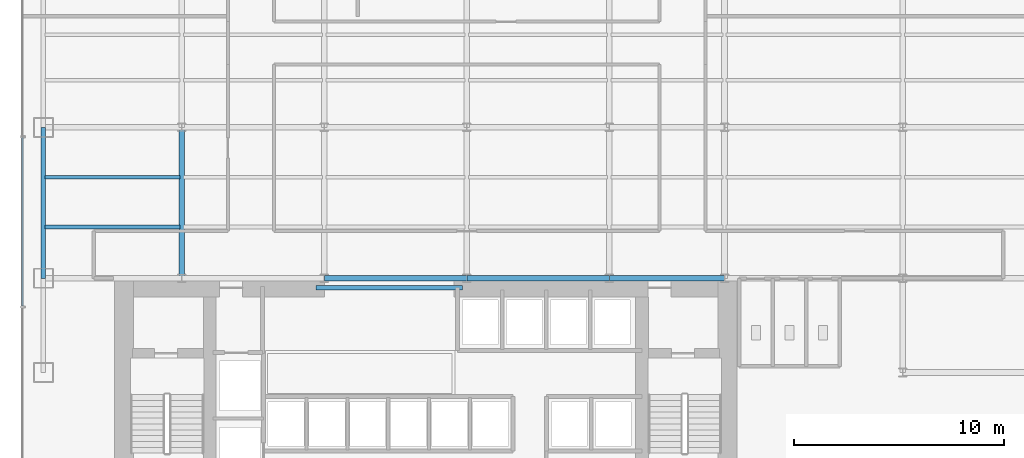
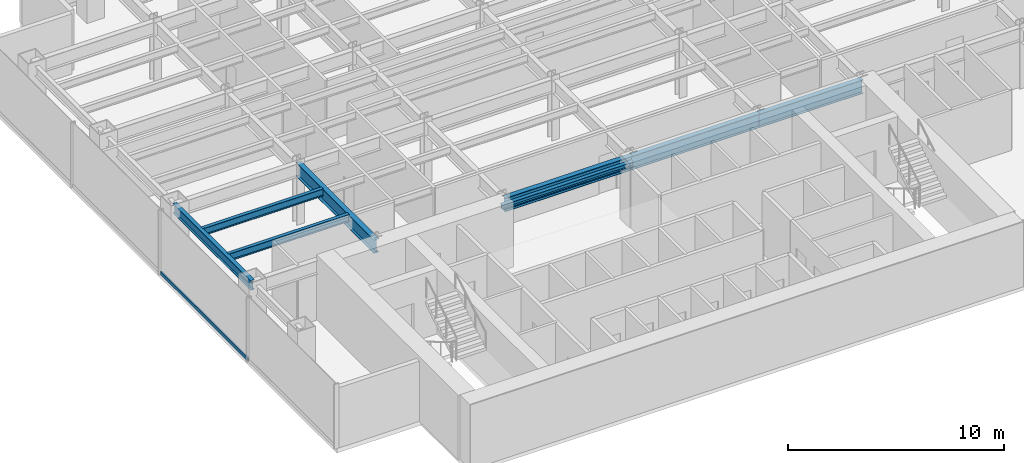
# One storey, part 3 of 22: 8 beams, 1 member, 1 element without a shape of its own.
"""IFC4 building model written with IfcOpenShell, lengths in metres."""

from ifc_helpers import new_model, si_unit, derived_unit, direction, frame, origin, origin_2d, place, context, subcontext, project, spatial, hollow_rectangle, i_section, extrude, source, transform, mapped, material, material_profile, profile_set, type_object, element, aggregate, save


model = new_model("IFC4")

# Units and contexts
model_context = context("Model", 3, precision=1e-05, world=origin(), true_north=direction((0.0, 1.0)))
body_context = subcontext(model_context, "Body", "Model", "MODEL_VIEW")
ifc_project = project(units=[si_unit("LENGTHUNIT", "METRE"), si_unit("AREAUNIT", "SQUARE_METRE"), si_unit("VOLUMEUNIT", "CUBIC_METRE"), si_unit("PLANEANGLEUNIT", "RADIAN"), si_unit("MASSUNIT", "GRAM", prefix="KILO"), derived_unit("THERMALTRANSMITTANCEUNIT", [(si_unit("POWERUNIT", "WATT"), 1), (si_unit("LENGTHUNIT", "METRE"), -2), (si_unit("THERMODYNAMICTEMPERATUREUNIT", "KELVIN"), -1)])], contexts=[model_context])

# Site, building, storey
site_placement = place(None, origin())
site = spatial("IfcSite", under=ifc_project, at=site_placement, CompositionType="ELEMENT")
building_placement = place(site_placement, origin())
building = spatial("IfcBuilding", under=site, at=building_placement, Name="Skarnbrae Concourse Arena and Tower", CompositionType="ELEMENT")
storey_placement = place(building_placement, frame((0.0, 0.0, 61.699951171875)))
storey = spatial("IfcBuildingStorey", under=building, at=storey_placement, Name="L14", CompositionType="ELEMENT", Elevation=61.699951171875)

# Beams
ifc_material_1 = material(Name="Steel CSA G40.21 350W", Category="steel")
ifc_material_profile_1 = material_profile(ifc_material_1, i_section(OverallWidth=0.202880859375, OverallDepth=0.251953125, WebThickness=0.008056640625, FlangeThickness=0.013427734375, at=origin_2d()), Name="W250X58")
ifc_profile_set_1 = profile_set([ifc_material_profile_1], Name="Steel CSA G40.21 350W")
beam_type_1 = type_object("IfcBeamType", Name="BM-LINTEL-W250X58", PredefinedType="LINTEL", material=ifc_profile_set_1)
shared_shape_1 = source(origin(), body_context, "Body", "SweptSolid", [
    extrude(i_section(OverallWidth=0.202880859375, OverallDepth=0.251953125, WebThickness=0.008056640625, FlangeThickness=0.013427734375, at=origin_2d()), origin(), (0.0, 0.0, 1.0), 7.0),
])
beam_1_placement = place(storey_placement, frame((14.0, 13.550048828125, 3.274169921875), z_axis=(1.0, 0.0, 0.0), x_axis=(0.0, 1.0, 0.0)))
element("IfcBeam", 1, at=beam_1_placement, inside=storey, type_object=beam_type_1, Name="L14 Core portal coupling lintel", PredefinedType="LINTEL", context=body_context, shape_type="MappedRepresentation", body=[
    mapped(shared_shape_1, transform((0.0, 0.0, 0.0))),
])
ifc_material_profile_2 = material_profile(ifc_material_1, i_section(OverallWidth=0.26806640625, OverallDepth=0.77001953125, WebThickness=0.015625, FlangeThickness=0.025390625, at=origin_2d()), Name="W760X196")
ifc_profile_set_2 = profile_set([ifc_material_profile_2], Name="Steel CSA G40.21 350W")
beam_type_2 = type_object("IfcBeamType", Name="BM-GIRD-W760X196", PredefinedType="BEAM", material=ifc_profile_set_2)
shared_shape_2 = source(origin(), body_context, "Body", "SweptSolid", [
    extrude(i_section(OverallWidth=0.26806640625, OverallDepth=0.77001953125, WebThickness=0.015625, FlangeThickness=0.025390625, at=origin_2d()), origin(), (0.0, 0.0, 1.0), 6.800048828125),
])
for number, where, z_axis, x_axis, name in (
    (2, (14.39990234375, 14.0, 3.01513671875), (1.0, 0.0, 0.0), (0.0, 1.0, 0.0), "L14 Primary E-W girder Y14.0-3"),
    (3, (21.199951171875, 14.0, 3.01513671875), (1.0, 0.0, 0.0), (0.0, 1.0, 0.0), "L14 Primary E-W girder Y14.0-4"),
):
    element("IfcBeam", number, at=place(storey_placement, frame(where, z_axis=z_axis, x_axis=x_axis)), inside=storey, type_object=beam_type_2, Name=name, PredefinedType="BEAM", context=body_context, shape_type="MappedRepresentation", body=[
        mapped(shared_shape_2, transform((0.0, 0.0, 0.0))),
    ])
shared_shape_3 = source(origin(), body_context, "Body", "SweptSolid", [
    extrude(i_section(OverallWidth=0.26806640625, OverallDepth=0.77001953125, WebThickness=0.015625, FlangeThickness=0.025390625, at=origin_2d()), origin(), (0.0, 0.0, 1.0), 5.5),
])
beam_2_placement = place(storey_placement, frame((28.0, 14.0, 3.01513671875), z_axis=(1.0, 0.0, 0.0), x_axis=(0.0, 1.0, 0.0)))
element("IfcBeam", 4, at=beam_2_placement, inside=storey, type_object=beam_type_2, Name="L14 Primary E-W girder Y14.0-5", PredefinedType="BEAM", context=body_context, shape_type="MappedRepresentation", body=[
    mapped(shared_shape_3, transform((0.0, 0.0, 0.0))),
])
ifc_material_profile_3 = material_profile(ifc_material_1, i_section(OverallWidth=0.214111328125, OverallDepth=0.549072265625, WebThickness=0.0146484375, FlangeThickness=0.023681640625, at=origin_2d()), Name="W530X138")
ifc_profile_set_3 = profile_set([ifc_material_profile_3], Name="Steel CSA G40.21 350W")
beam_type_3 = type_object("IfcBeamType", Name="BM-SPAN-W530X138", PredefinedType="SPANDREL", material=ifc_profile_set_3)
shared_shape_4 = source(origin(), body_context, "Body", "SweptSolid", [
    extrude(i_section(OverallWidth=0.214111328125, OverallDepth=0.549072265625, WebThickness=0.0146484375, FlangeThickness=0.023681640625, at=origin_2d()), origin(), (0.0, 0.0, 1.0), 7.199951171875),
])
beam_3_placement = place(storey_placement, frame((1.0, 14.0, 3.12548828125), z_axis=(0.0, 1.0, 0.0), x_axis=(-1.0, 0.0, 0.0)))
element("IfcBeam", 5, at=beam_3_placement, inside=storey, type_object=beam_type_3, Name="L14 Perimeter spandrel X1.0-2", PredefinedType="SPANDREL", context=body_context, shape_type="MappedRepresentation", body=[
    mapped(shared_shape_4, transform((0.0, 0.0, 0.0))),
])
shared_shape_5 = source(origin(), body_context, "Body", "SweptSolid", [
    extrude(i_section(OverallWidth=0.26806640625, OverallDepth=0.77001953125, WebThickness=0.015625, FlangeThickness=0.025390625, at=origin_2d()), origin(), (0.0, 0.0, 1.0), 7.199951171875),
])
beam_4_placement = place(storey_placement, frame((7.60009765625, 14.0, 3.01513671875), z_axis=(0.0, 1.0, 0.0), x_axis=(-1.0, 0.0, 0.0)))
element("IfcBeam", 6, at=beam_4_placement, inside=storey, type_object=beam_type_2, Name="L14 Primary N-S girder X7.6-1", PredefinedType="BEAM", context=body_context, shape_type="MappedRepresentation", body=[
    mapped(shared_shape_5, transform((0.0, 0.0, 0.0))),
])
ifc_material_profile_4 = material_profile(ifc_material_1, i_section(OverallWidth=0.180908203125, OverallDepth=0.4169921875, WebThickness=0.010986328125, FlangeThickness=0.018310546875, at=origin_2d()), Name="W410X85")
ifc_profile_set_4 = profile_set([ifc_material_profile_4], Name="Steel CSA G40.21 350W")
beam_type_4 = type_object("IfcBeamType", Name="BM-JOIST-W410X85", PredefinedType="JOIST", material=ifc_profile_set_4)
shared_shape_6 = source(origin(), body_context, "Body", "SweptSolid", [
    extrude(i_section(OverallWidth=0.180908203125, OverallDepth=0.4169921875, WebThickness=0.010986328125, FlangeThickness=0.018310546875, at=origin_2d()), origin(), (0.0, 0.0, 1.0), 6.43994140625),
])
for number, where, z_axis, x_axis, name in (
    (7, (1.080078125, 16.447998046875, 3.191650390625), (1.0, 0.0, 0.0), (0.0, 1.0, 0.0), "L14 Secondary floor joist 1.1.1"),
    (8, (1.080078125, 18.823974609375, 3.191650390625), (1.0, 0.0, 0.0), (0.0, 1.0, 0.0), "L14 Secondary floor joist 1.2.1"),
):
    element("IfcBeam", number, at=place(storey_placement, frame(where, z_axis=z_axis, x_axis=x_axis)), inside=storey, type_object=beam_type_4, Name=name, PredefinedType="JOIST", context=body_context, shape_type="MappedRepresentation", body=[
        mapped(shared_shape_6, transform((0.0, 0.0, 0.0))),
    ])

# Curtain wall, member
ifc_material_2 = material(Name="Bronze anodised aluminium 6063-T6", Category="aluminium")
curtain_wall_type = type_object("IfcCurtainWallType", Name="CW-SYS-02-LOWZONE", PredefinedType="USERDEFINED", material=ifc_material_2)
curtain_wall_placement = place(storey_placement, origin())
curtain_wall = element("IfcCurtainWall", 9, at=curtain_wall_placement, inside=storey, type_object=curtain_wall_type, Name="L14 Unitised curtain wall CW-L14-E19", ObjectType="UNITISED CURTAIN WALL", PredefinedType="USERDEFINED")
ifc_material_profile_5 = material_profile(ifc_material_2, hollow_rectangle(XDim=0.080078125, YDim=0.18994140625, WallThickness=0.0048828125, at=origin_2d()), Name="ALU-TRAN-80X190")
ifc_profile_set_5 = profile_set([ifc_material_profile_5], Name="Bronze anodised aluminium 6063-T6")
member_type = type_object("IfcMemberType", Name="CWT-CW-02", PredefinedType="USERDEFINED", material=ifc_profile_set_5)
shared_shape_7 = source(origin(), body_context, "Body", "SweptSolid", [
    extrude(hollow_rectangle(XDim=0.080078125, YDim=0.18994140625, WallThickness=0.0048828125, at=origin_2d()), origin(), (0.0, 0.0, 1.0), 8.044921875),
])
member_placement = place(storey_placement, frame((0.0, 20.7099609375, 0.094970703125), z_axis=(0.0, -1.0, 0.0), x_axis=(1.0, 0.0, 0.0)))
member = element("IfcMember", 10, at=member_placement, type_object=member_type, Name="CW-L14-E19 Transom 3", ObjectType="TRANSOM", PredefinedType="USERDEFINED", context=body_context, shape_type="MappedRepresentation", body=[
    mapped(shared_shape_7, transform((0.0, 0.0, 0.0))),
])
aggregate(curtain_wall, [member])

save(model, "model.ifc")
